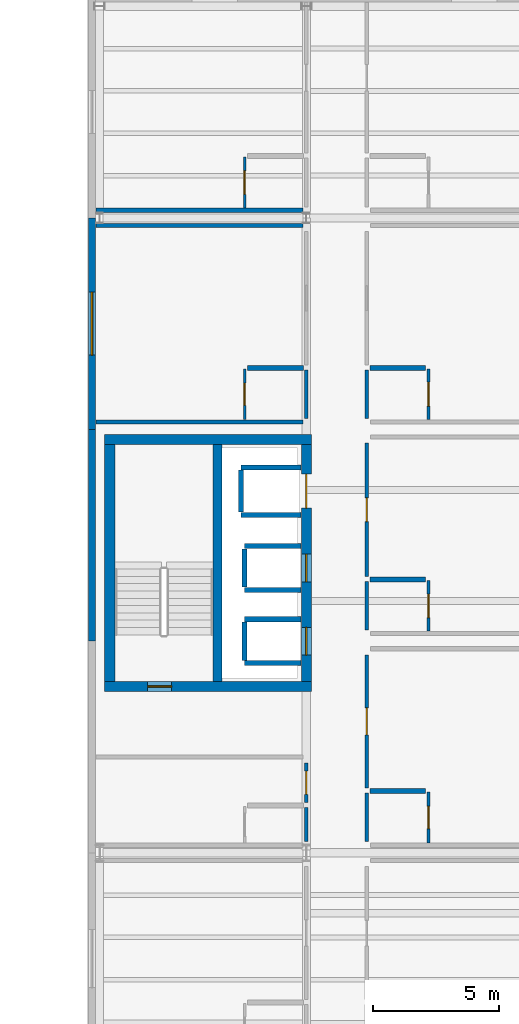
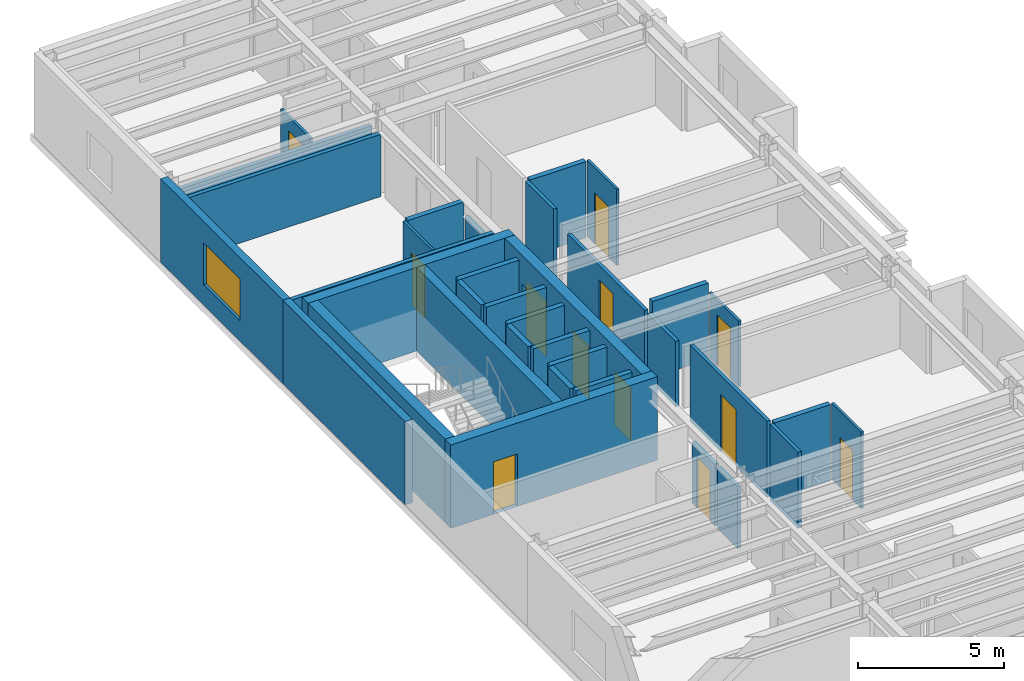
# One storey, part 16 of 23: 36 walls, 12 doors, 1 window, 13 openings.
"""IFC4 building model written with IfcOpenShell, lengths in metres."""

from ifc_helpers import new_model, si_unit, direction, frame, frame_2d, origin, place, context, subcontext, project, spatial, rectangle, extrude, material, layer, layer_set, type_object, element, fill, save


model = new_model("IFC4")

# Units and contexts
model_context = context("Model", 3, precision=1e-05, world=origin(), true_north=direction((0.0, 1.0)))
body_context = subcontext(model_context, "Body", "Model", "MODEL_VIEW")
ifc_project = project(units=[si_unit("LENGTHUNIT", "METRE"), si_unit("AREAUNIT", "SQUARE_METRE"), si_unit("VOLUMEUNIT", "CUBIC_METRE"), si_unit("PLANEANGLEUNIT", "RADIAN"), si_unit("MASSUNIT", "GRAM", prefix="KILO")], contexts=[model_context])

# Site, building, storey
site_placement = place(None, origin())
site = spatial("IfcSite", under=ifc_project, at=site_placement, CompositionType="ELEMENT")
building_placement = place(site_placement, origin())
building = spatial("IfcBuilding", under=site, at=building_placement, Name="Sollismere Congress Hotel", CompositionType="ELEMENT")
storey_placement = place(building_placement, frame((0.0, 0.0, 30.60009765625)))
storey = spatial("IfcBuildingStorey", under=building, at=storey_placement, Name="L07", CompositionType="ELEMENT", Elevation=30.60009765625)

# Wall
ifc_material_1 = material(Name="Colorado Buff Sandstone Rainscreen on Insulated Backup", Category="masonry")
ifc_layer_1 = layer(ifc_material_1, 0.284912109375, Name="Colorado Buff Sandstone Rainscreen on Insulated Backup")
ifc_layer_set_1 = layer_set([ifc_layer_1], Name="Colorado Buff Sandstone Rainscreen on Insulated Backup")
wall_type_1 = type_object("IfcWallType", Name="WL-EXT285", PredefinedType="STANDARD", material=ifc_layer_set_1)
wall_1_placement = place(storey_placement, frame((146.889892578125, 41.60009765625, 0.0), z_axis=(0.0, 0.0, 1.0), x_axis=(0.0, 1.0, 0.0)))
element("IfcWall", 1, at=wall_1_placement, inside=storey, type_object=wall_type_1, Name="Exterior wall EW-L07-805", PredefinedType="STANDARD", context=body_context, shape_type="SweptSolid", body=[
    extrude(rectangle(XDim=8.39990234375, YDim=0.284912109375, at=frame_2d((4.199951171875, 0.0))), origin(), (0.0, 0.0, 1.0), 3.5),
])

# Wall, opening, window
wall_2_placement = place(storey_placement, frame((146.889892578125, 50.0, 0.0), z_axis=(0.0, 0.0, 1.0), x_axis=(0.0, 1.0, 0.0)))
wall_2 = element("IfcWall", 2, at=wall_2_placement, inside=storey, type_object=wall_type_1, Name="Exterior wall EW-L07-806", PredefinedType="STANDARD", context=body_context, shape_type="SweptSolid", body=[
    extrude(rectangle(XDim=8.39990234375, YDim=0.284912109375, at=frame_2d((4.199951171875, 0.0))), origin(), (0.0, 0.0, 1.0), 3.5),
])
opening_1_placement = place(wall_2_placement, frame((2.949951171875, 0.0, 0.85009765625)))
opening_1 = element("IfcOpeningElement", 3, at=opening_1_placement, cuts=wall_2, Name="Opening W-L07-583", PredefinedType="OPENING", context=body_context, shape_type="SweptSolid", body=[
    extrude(rectangle(XDim=2.5, YDim=1.75, at=frame_2d((1.25, 0.875))), frame((0.0, 0.15234375, 0.0), z_axis=(0.0, -1.0, 0.0), x_axis=(1.0, 0.0, 0.0)), (0.0, 0.0, 1.0), 0.304931640625),
])
ifc_material_2 = material(Name="Thermally Broken Bronze Aluminum & Low-E Glass", Category="aluminium")
window_type = type_object("IfcWindowType", Name="WN-P250x175", PartitioningType="SINGLE_PANEL", PredefinedType="WINDOW", material=ifc_material_2)
window_placement = place(opening_1_placement, origin())
window = element("IfcWindow", 4, at=window_placement, inside=storey, type_object=window_type, Name="WIN-W-L07-583", OverallHeight=1.75, OverallWidth=2.5, PartitioningType="SINGLE_PANEL", PredefinedType="WINDOW", context=body_context, shape_type="SweptSolid", body=[
    extrude(rectangle(XDim=2.5, YDim=1.75, at=frame_2d((1.25, 0.875))), frame((0.0, 0.030029296875, 0.0), z_axis=(0.0, -1.0, 0.0), x_axis=(1.0, 0.0, 0.0)), (0.0, 0.0, 1.0), 0.06005859375),
])
fill(opening_1, window)

# Walls
ifc_material_3 = material(Name="Moisture-Resistant Shaft Gypsum Assembly")
ifc_layer_2 = layer(ifc_material_3, 0.199951171875, Name="Moisture-Resistant Shaft Gypsum Assembly")
ifc_layer_set_2 = layer_set([ifc_layer_2], Name="Moisture-Resistant Shaft Gypsum Assembly")
wall_type_2 = type_object("IfcWallType", Name="WL-PLM200", PredefinedType="PLUMBINGWALL", material=ifc_layer_set_2)
for number, where, z_axis, x_axis, name in (
    (5, (152.955078125, 40.72998046875, 0.0), (0.0, 0.0, 1.0), (1.0, 0.0, 0.0), "Interior wall IW-L07-0495"),
    (6, (152.955078125, 42.469970703125, 0.0), (0.0, 0.0, 1.0), (1.0, 0.0, 0.0), "Interior wall IW-L07-0496"),
):
    element("IfcWall", number, at=place(storey_placement, frame(where, z_axis=z_axis, x_axis=x_axis)), inside=storey, type_object=wall_type_2, Name=name, PredefinedType="PLUMBINGWALL", context=body_context, shape_type="SweptSolid", body=[
        extrude(rectangle(XDim=2.23291015625, YDim=0.199951171875, at=frame_2d((1.116455078125, 0.0))), origin(), (0.0, 0.0, 1.0), 3.199951171875),
    ])
wall_3_placement = place(storey_placement, frame((152.955078125, 40.842041015625, 0.0), z_axis=(0.0, 0.0, 1.0), x_axis=(0.0, 1.0, 0.0)))
element("IfcWall", 7, at=wall_3_placement, inside=storey, type_object=wall_type_2, Name="Interior wall IW-L07-0497", PredefinedType="PLUMBINGWALL", context=body_context, shape_type="SweptSolid", body=[
    extrude(rectangle(XDim=1.515869140625, YDim=0.199951171875, at=frame_2d((0.7578125, 0.0))), origin(), (0.0, 0.0, 1.0), 3.199951171875),
])
for number, where, z_axis, x_axis, name in (
    (8, (152.955078125, 43.6298828125, 0.0), (0.0, 0.0, 1.0), (1.0, 0.0, 0.0), "Interior wall IW-L07-0498"),
    (9, (152.955078125, 45.3701171875, 0.0), (0.0, 0.0, 1.0), (1.0, 0.0, 0.0), "Interior wall IW-L07-0499"),
):
    element("IfcWall", number, at=place(storey_placement, frame(where, z_axis=z_axis, x_axis=x_axis)), inside=storey, type_object=wall_type_2, Name=name, PredefinedType="PLUMBINGWALL", context=body_context, shape_type="SweptSolid", body=[
        extrude(rectangle(XDim=2.23291015625, YDim=0.199951171875, at=frame_2d((1.116455078125, 0.0))), origin(), (0.0, 0.0, 1.0), 3.199951171875),
    ])
wall_4_placement = place(storey_placement, frame((152.955078125, 43.741943359375, 0.0), z_axis=(0.0, 0.0, 1.0), x_axis=(0.0, 1.0, 0.0)))
element("IfcWall", 10, at=wall_4_placement, inside=storey, type_object=wall_type_2, Name="Interior wall IW-L07-0500", PredefinedType="PLUMBINGWALL", context=body_context, shape_type="SweptSolid", body=[
    extrude(rectangle(XDim=1.51611328125, YDim=0.199951171875, at=frame_2d((0.758056640625, 0.0))), origin(), (0.0, 0.0, 1.0), 3.199951171875),
])
for number, where, z_axis, x_axis, name in (
    (11, (152.800048828125, 46.60498046875, 0.0), (0.0, 0.0, 1.0), (1.0, 0.0, 0.0), "Interior wall IW-L07-0501"),
    (12, (152.800048828125, 48.4951171875, 0.0), (0.0, 0.0, 1.0), (1.0, 0.0, 0.0), "Interior wall IW-L07-0502"),
):
    element("IfcWall", number, at=place(storey_placement, frame(where, z_axis=z_axis, x_axis=x_axis)), inside=storey, type_object=wall_type_2, Name=name, PredefinedType="PLUMBINGWALL", context=body_context, shape_type="SweptSolid", body=[
        extrude(rectangle(XDim=2.387939453125, YDim=0.199951171875, at=frame_2d((1.19384765625, 0.0))), origin(), (0.0, 0.0, 1.0), 3.199951171875),
    ])
wall_5_placement = place(storey_placement, frame((152.800048828125, 46.717041015625, 0.0), z_axis=(0.0, 0.0, 1.0), x_axis=(0.0, 1.0, 0.0)))
element("IfcWall", 13, at=wall_5_placement, inside=storey, type_object=wall_type_2, Name="Interior wall IW-L07-0503", PredefinedType="PLUMBINGWALL", context=body_context, shape_type="SweptSolid", body=[
    extrude(rectangle(XDim=1.666015625, YDim=0.199951171875, at=frame_2d((0.8330078125, 0.0))), origin(), (0.0, 0.0, 1.0), 3.199951171875),
])
for number, where, z_axis, x_axis, name in (
    (14, (157.919921875, 35.64990234375, 0.0), (0.0, 0.0, 1.0), (1.0, 0.0, 0.0), "Interior wall IW-L07-2343"),
    (15, (157.919921875, 44.050048828125, 0.0), (0.0, 0.0, 1.0), (1.0, 0.0, 0.0), "Interior wall IW-L07-2355"),
    (16, (157.919921875, 52.449951171875, 0.0), (0.0, 0.0, 1.0), (1.0, 0.0, 0.0), "Interior wall IW-L07-2361"),
    (17, (153.070068359375, 52.449951171875, 0.0), (0.0, 0.0, 1.0), (1.0, 0.0, 0.0), "Interior wall IW-L07-2367"),
):
    element("IfcWall", number, at=place(storey_placement, frame(where, z_axis=z_axis, x_axis=x_axis)), inside=storey, type_object=wall_type_2, Name=name, PredefinedType="PLUMBINGWALL", context=body_context, shape_type="SweptSolid", body=[
        extrude(rectangle(XDim=2.2099609375, YDim=0.199951171875, at=frame_2d((1.10498046875, 0.0))), origin(), (0.0, 0.0, 1.0), 3.199951171875),
    ])

# Wall, opening, door
ifc_material_4 = material(Name="Moisture-Resistant Gypsum Partition")
ifc_layer_3 = layer(ifc_material_4, 0.10009765625, Name="Moisture-Resistant Gypsum Partition")
ifc_layer_set_3 = layer_set([ifc_layer_3], Name="Moisture-Resistant Gypsum Partition")
wall_type_3 = type_object("IfcWallType", Name="WL-PRT100", PredefinedType="PARTITIONING", material=ifc_layer_set_3)
wall_6_placement = place(storey_placement, frame((160.25, 33.594482421875, 0.0), z_axis=(0.0, 0.0, 1.0), x_axis=(0.0, 1.0, 0.0)))
wall_6 = element("IfcWall", 18, at=wall_6_placement, inside=storey, type_object=wall_type_3, Name="Interior wall IW-L07-2344", PredefinedType="PARTITIONING", context=body_context, shape_type="SweptSolid", body=[
    extrude(rectangle(XDim=2.015625, YDim=0.10009765625, at=frame_2d((1.0078125, 0.0))), origin(), (0.0, 0.0, 1.0), 3.199951171875),
])
opening_2_placement = place(wall_6_placement, frame((0.568115234375, 0.0, 0.0)))
opening_2 = element("IfcOpeningElement", 19, at=opening_2_placement, cuts=wall_6, Name="Opening D-L07-0827", PredefinedType="OPENING", context=body_context, shape_type="SweptSolid", body=[
    extrude(rectangle(XDim=0.8798828125, YDim=2.10009765625, at=frame_2d((0.43994140625, 1.050048828125))), frame((0.0, 0.06005859375, 0.0), z_axis=(0.0, -1.0, 0.0), x_axis=(1.0, 0.0, 0.0)), (0.0, 0.0, 1.0), 0.1201171875),
])
ifc_material_5 = material(Name="Moisture-Sealed Timber Bathroom Door", Category="wood")
door_type_1 = type_object("IfcDoorType", Name="DR-BT01", OperationType="NOTDEFINED", PredefinedType="DOOR", material=ifc_material_5)
door_1_placement = place(opening_2_placement, origin())
door_1 = element("IfcDoor", 20, at=door_1_placement, inside=storey, type_object=door_type_1, Name="En-suite bathroom door D-L07-0827", OperationType="SINGLE_SWING_RIGHT", OverallHeight=2.10009765625, OverallWidth=0.8798828125, PredefinedType="DOOR", context=body_context, shape_type="SweptSolid", body=[
    extrude(rectangle(XDim=0.8798828125, YDim=2.10009765625, at=frame_2d((0.43994140625, 1.050048828125))), frame((0.0, 0.02490234375, 0.0), z_axis=(0.0, -1.0, 0.0), x_axis=(1.0, 0.0, 0.0)), (0.0, 0.0, 1.0), 0.050048828125),
])
fill(opening_2, door_1)

wall_7_placement = place(storey_placement, frame((160.25, 41.994384765625, 0.0), z_axis=(0.0, 0.0, 1.0), x_axis=(0.0, 1.0, 0.0)))
wall_7 = element("IfcWall", 21, at=wall_7_placement, inside=storey, type_object=wall_type_3, Name="Interior wall IW-L07-2356", PredefinedType="PARTITIONING", context=body_context, shape_type="SweptSolid", body=[
    extrude(rectangle(XDim=2.015625, YDim=0.10009765625, at=frame_2d((1.0078125, 0.0))), origin(), (0.0, 0.0, 1.0), 2.7529296875),
])
opening_3_placement = place(wall_7_placement, frame((0.54296875, 0.0, 0.0)))
opening_3 = element("IfcOpeningElement", 22, at=opening_3_placement, cuts=wall_7, Name="Opening D-L07-0831", PredefinedType="OPENING", context=body_context, shape_type="SweptSolid", body=[
    extrude(rectangle(XDim=0.929931640625, YDim=2.139892578125, at=frame_2d((0.46484375, 1.06982421875))), frame((0.0, 0.06005859375, 0.0), z_axis=(0.0, -1.0, 0.0), x_axis=(1.0, 0.0, 0.0)), (0.0, 0.0, 1.0), 0.1201171875),
])
door_type_2 = type_object("IfcDoorType", Name="DR-BT03", OperationType="NOTDEFINED", PredefinedType="DOOR", material=ifc_material_5)
door_2_placement = place(opening_3_placement, origin())
door_2 = element("IfcDoor", 23, at=door_2_placement, inside=storey, type_object=door_type_2, Name="En-suite bathroom door D-L07-0831", OperationType="SINGLE_SWING_RIGHT", OverallHeight=2.139892578125, OverallWidth=0.929931640625, PredefinedType="DOOR", context=body_context, shape_type="SweptSolid", body=[
    extrude(rectangle(XDim=0.929931640625, YDim=2.139892578125, at=frame_2d((0.46484375, 1.06982421875))), frame((0.0, 0.02490234375, 0.0), z_axis=(0.0, -1.0, 0.0), x_axis=(1.0, 0.0, 0.0)), (0.0, 0.0, 1.0), 0.050048828125),
])
fill(opening_3, door_2)

wall_8_placement = place(storey_placement, frame((160.25, 50.39453125, 0.0), z_axis=(0.0, 0.0, 1.0), x_axis=(0.0, 1.0, 0.0)))
wall_8 = element("IfcWall", 24, at=wall_8_placement, inside=storey, type_object=wall_type_3, Name="Interior wall IW-L07-2362", PredefinedType="PARTITIONING", context=body_context, shape_type="SweptSolid", body=[
    extrude(rectangle(XDim=2.015380859375, YDim=0.10009765625, at=frame_2d((1.0078125, 0.0))), origin(), (0.0, 0.0, 1.0), 3.199951171875),
])
opening_4_placement = place(wall_8_placement, frame((0.530029296875, 0.0, 0.0)))
opening_4 = element("IfcOpeningElement", 25, at=opening_4_placement, cuts=wall_8, Name="Opening D-L07-0833", PredefinedType="OPENING", context=body_context, shape_type="SweptSolid", body=[
    extrude(rectangle(XDim=0.955078125, YDim=2.139892578125, at=frame_2d((0.4775390625, 1.06982421875))), frame((0.0, 0.06005859375, 0.0), z_axis=(0.0, -1.0, 0.0), x_axis=(1.0, 0.0, 0.0)), (0.0, 0.0, 1.0), 0.1201171875),
])
door_type_3 = type_object("IfcDoorType", Name="DR-BT04", OperationType="NOTDEFINED", PredefinedType="DOOR", material=ifc_material_5)
door_3_placement = place(opening_4_placement, origin())
door_3 = element("IfcDoor", 26, at=door_3_placement, inside=storey, type_object=door_type_3, Name="En-suite bathroom door D-L07-0833", OperationType="SINGLE_SWING_RIGHT", OverallHeight=2.139892578125, OverallWidth=0.955078125, PredefinedType="DOOR", context=body_context, shape_type="SweptSolid", body=[
    extrude(rectangle(XDim=0.955078125, YDim=2.139892578125, at=frame_2d((0.4775390625, 1.06982421875))), frame((0.0, 0.02490234375, 0.0), z_axis=(0.0, -1.0, 0.0), x_axis=(1.0, 0.0, 0.0)), (0.0, 0.0, 1.0), 0.050048828125),
])
fill(opening_4, door_3)

wall_9_placement = place(storey_placement, frame((152.949951171875, 50.39453125, 0.0), z_axis=(0.0, 0.0, 1.0), x_axis=(0.0, 1.0, 0.0)))
wall_9 = element("IfcWall", 27, at=wall_9_placement, inside=storey, type_object=wall_type_3, Name="Interior wall IW-L07-2368", PredefinedType="PARTITIONING", context=body_context, shape_type="SweptSolid", body=[
    extrude(rectangle(XDim=2.015380859375, YDim=0.10009765625, at=frame_2d((1.0078125, 0.0))), origin(), (0.0, 0.0, 1.0), 3.199951171875),
])
opening_5_placement = place(wall_9_placement, frame((0.568115234375, 0.0, 0.0)))
opening_5 = element("IfcOpeningElement", 28, at=opening_5_placement, cuts=wall_9, Name="Opening D-L07-0835", PredefinedType="OPENING", context=body_context, shape_type="SweptSolid", body=[
    extrude(rectangle(XDim=0.8798828125, YDim=2.179931640625, at=frame_2d((0.43994140625, 1.08984375))), frame((0.0, 0.06005859375, 0.0), z_axis=(0.0, -1.0, 0.0), x_axis=(1.0, 0.0, 0.0)), (0.0, 0.0, 1.0), 0.1201171875),
])
door_type_4 = type_object("IfcDoorType", Name="DR-BT05", OperationType="NOTDEFINED", PredefinedType="DOOR", material=ifc_material_5)
door_4_placement = place(opening_5_placement, origin())
door_4 = element("IfcDoor", 29, at=door_4_placement, inside=storey, type_object=door_type_4, Name="En-suite bathroom door D-L07-0835", OperationType="SINGLE_SWING_RIGHT", OverallHeight=2.179931640625, OverallWidth=0.8798828125, PredefinedType="DOOR", context=body_context, shape_type="SweptSolid", body=[
    extrude(rectangle(XDim=0.8798828125, YDim=2.179931640625, at=frame_2d((0.43994140625, 1.08984375))), frame((0.0, 0.02490234375, 0.0), z_axis=(0.0, -1.0, 0.0), x_axis=(1.0, 0.0, 0.0)), (0.0, 0.0, 1.0), 0.050048828125),
])
fill(opening_5, door_4)

wall_10_placement = place(storey_placement, frame((152.949951171875, 58.79443359375, 0.0), z_axis=(0.0, 0.0, 1.0), x_axis=(0.0, 1.0, 0.0)))
wall_10 = element("IfcWall", 30, at=wall_10_placement, inside=storey, type_object=wall_type_3, Name="Interior wall IW-L07-2378", PredefinedType="PARTITIONING", context=body_context, shape_type="SweptSolid", body=[
    extrude(rectangle(XDim=2.015625, YDim=0.10009765625, at=frame_2d((1.0078125, 0.0))), origin(), (0.0, 0.0, 1.0), 2.807861328125),
])
opening_6_placement = place(wall_10_placement, frame((0.54296875, 0.0, 0.0)))
opening_6 = element("IfcOpeningElement", 31, at=opening_6_placement, cuts=wall_10, Name="Opening D-L07-0839", PredefinedType="OPENING", context=body_context, shape_type="SweptSolid", body=[
    extrude(rectangle(XDim=0.929931640625, YDim=2.219970703125, at=frame_2d((0.46484375, 1.10986328125))), frame((0.0, 0.06005859375, 0.0), z_axis=(0.0, -1.0, 0.0), x_axis=(1.0, 0.0, 0.0)), (0.0, 0.0, 1.0), 0.1201171875),
])
door_type_5 = type_object("IfcDoorType", Name="DR-BT07", OperationType="NOTDEFINED", PredefinedType="DOOR", material=ifc_material_5)
door_5_placement = place(opening_6_placement, origin())
door_5 = element("IfcDoor", 32, at=door_5_placement, inside=storey, type_object=door_type_5, Name="En-suite bathroom door D-L07-0839", OperationType="SINGLE_SWING_RIGHT", OverallHeight=2.219970703125, OverallWidth=0.929931640625, PredefinedType="DOOR", context=body_context, shape_type="SweptSolid", body=[
    extrude(rectangle(XDim=0.929931640625, YDim=2.219970703125, at=frame_2d((0.46484375, 1.10986328125))), frame((0.0, 0.02490234375, 0.0), z_axis=(0.0, -1.0, 0.0), x_axis=(1.0, 0.0, 0.0)), (0.0, 0.0, 1.0), 0.050048828125),
])
fill(opening_6, door_5)

# Wall
ifc_material_6 = material(Name="Fire-Rated Gypsum Partition")
ifc_layer_4 = layer(ifc_material_6, 0.139892578125, Name="Fire-Rated Gypsum Partition")
ifc_layer_set_4 = layer_set([ifc_layer_4], Name="Fire-Rated Gypsum Partition")
wall_type_4 = type_object("IfcWallType", Name="WL-PRT140R", PredefinedType="PARTITIONING", material=ifc_layer_set_4)
wall_11_placement = place(storey_placement, frame((157.800048828125, 33.639892578125, 0.0), z_axis=(0.0, 0.0, 1.0), x_axis=(0.0, 1.0, 0.0)))
element("IfcWall", 33, at=wall_11_placement, inside=storey, type_object=wall_type_4, Name="Interior wall IW-L07-2339", PredefinedType="PARTITIONING", context=body_context, shape_type="SweptSolid", body=[
    extrude(rectangle(XDim=1.93017578125, YDim=0.139892578125, at=frame_2d((0.965087890625, 0.0))), origin(), (0.0, 0.0, 1.0), 3.199951171875),
])

# Wall, opening, door
wall_12_placement = place(storey_placement, frame((157.800048828125, 35.77001953125, 0.0), z_axis=(0.0, 0.0, 1.0), x_axis=(0.0, 1.0, 0.0)))
wall_12 = element("IfcWall", 34, at=wall_12_placement, inside=storey, type_object=wall_type_4, Name="Interior wall IW-L07-2340", PredefinedType="PARTITIONING", context=body_context, shape_type="SweptSolid", body=[
    extrude(rectangle(XDim=5.2900390625, YDim=0.139892578125, at=frame_2d((2.64501953125, 0.0))), origin(), (0.0, 0.0, 1.0), 3.199951171875),
])
opening_7_placement = place(wall_12_placement, frame((2.110107421875, 0.0, 0.0)))
opening_7 = element("IfcOpeningElement", 35, at=opening_7_placement, cuts=wall_12, Name="Opening D-L07-0826", PredefinedType="OPENING", context=body_context, shape_type="SweptSolid", body=[
    extrude(rectangle(XDim=1.070068359375, YDim=2.39990234375, at=frame_2d((0.53515625, 1.199951171875))), frame((0.0, 0.079833984375, 0.0), z_axis=(0.0, -1.0, 0.0), x_axis=(1.0, 0.0, 0.0)), (0.0, 0.0, 1.0), 0.159912109375),
])
ifc_material_7 = material(Name="Solid-Core Acoustic Walnut Guestroom Entry Door")
door_type_6 = type_object("IfcDoorType", Name="DR-KY12", OperationType="NOTDEFINED", PredefinedType="DOOR", material=ifc_material_7)
door_6_placement = place(opening_7_placement, origin())
door_6 = element("IfcDoor", 36, at=door_6_placement, inside=storey, type_object=door_type_6, Name="Hotel room entry door D-L07-0826", OperationType="SINGLE_SWING_LEFT", OverallHeight=2.39990234375, OverallWidth=1.070068359375, PredefinedType="DOOR", context=body_context, shape_type="SweptSolid", body=[
    extrude(rectangle(XDim=1.070068359375, YDim=2.39990234375, at=frame_2d((0.53515625, 1.199951171875))), frame((0.0, 0.02490234375, 0.0), z_axis=(0.0, -1.0, 0.0), x_axis=(1.0, 0.0, 0.0)), (0.0, 0.0, 1.0), 0.050048828125),
])
fill(opening_7, door_6)

# Wall
wall_13_placement = place(storey_placement, frame((155.39990234375, 33.639892578125, 0.0), z_axis=(0.0, 0.0, 1.0), x_axis=(0.0, 1.0, 0.0)))
element("IfcWall", 37, at=wall_13_placement, inside=storey, type_object=wall_type_4, Name="Interior wall IW-L07-2345", PredefinedType="PARTITIONING", context=body_context, shape_type="SweptSolid", body=[
    extrude(rectangle(XDim=1.355224609375, YDim=0.139892578125, at=frame_2d((0.677734375, 0.0))), origin(), (0.0, 0.0, 1.0), 2.58984375),
])

# Wall, opening, door
wall_14_placement = place(storey_placement, frame((155.39990234375, 35.195068359375, 0.0), z_axis=(0.0, 0.0, 1.0), x_axis=(0.0, 1.0, 0.0)))
wall_14 = element("IfcWall", 38, at=wall_14_placement, inside=storey, type_object=wall_type_4, Name="Interior wall IW-L07-2346", PredefinedType="PARTITIONING", context=body_context, shape_type="SweptSolid", body=[
    extrude(rectangle(XDim=1.56494140625, YDim=0.139892578125, at=frame_2d((0.782470703125, 0.0))), origin(), (0.0, 0.0, 1.0), 2.58984375),
])
opening_8_placement = place(wall_14_placement, frame((0.322021484375, 0.0, 0.0)))
opening_8 = element("IfcOpeningElement", 39, at=opening_8_placement, cuts=wall_14, Name="Opening D-L07-0828", PredefinedType="OPENING", context=body_context, shape_type="SweptSolid", body=[
    extrude(rectangle(XDim=0.919921875, YDim=2.14990234375, at=frame_2d((0.4599609375, 1.074951171875))), frame((0.0, 0.079833984375, 0.0), z_axis=(0.0, -1.0, 0.0), x_axis=(1.0, 0.0, 0.0)), (0.0, 0.0, 1.0), 0.159912109375),
])
door_type_7 = type_object("IfcDoorType", Name="DR-KY01", OperationType="NOTDEFINED", PredefinedType="DOOR", material=ifc_material_7)
door_7_placement = place(opening_8_placement, origin())
door_7 = element("IfcDoor", 40, at=door_7_placement, inside=storey, type_object=door_type_7, Name="Hotel room entry door D-L07-0828", OperationType="SINGLE_SWING_LEFT", OverallHeight=2.14990234375, OverallWidth=0.919921875, PredefinedType="DOOR", context=body_context, shape_type="SweptSolid", body=[
    extrude(rectangle(XDim=0.919921875, YDim=2.14990234375, at=frame_2d((0.4599609375, 1.074951171875))), frame((0.0, 0.02490234375, 0.0), z_axis=(0.0, -1.0, 0.0), x_axis=(1.0, 0.0, 0.0)), (0.0, 0.0, 1.0), 0.050048828125),
])
fill(opening_8, door_7)

# Wall
wall_15_placement = place(storey_placement, frame((157.800048828125, 42.0400390625, 0.0), z_axis=(0.0, 0.0, 1.0), x_axis=(0.0, 1.0, 0.0)))
element("IfcWall", 41, at=wall_15_placement, inside=storey, type_object=wall_type_4, Name="Interior wall IW-L07-2351", PredefinedType="PARTITIONING", context=body_context, shape_type="SweptSolid", body=[
    extrude(rectangle(XDim=1.929931640625, YDim=0.139892578125, at=frame_2d((0.96484375, 0.0))), origin(), (0.0, 0.0, 1.0), 2.7529296875),
])

# Wall, opening, door
wall_16_placement = place(storey_placement, frame((157.800048828125, 44.169921875, 0.0), z_axis=(0.0, 0.0, 1.0), x_axis=(0.0, 1.0, 0.0)))
wall_16 = element("IfcWall", 42, at=wall_16_placement, inside=storey, type_object=wall_type_4, Name="Interior wall IW-L07-2352", PredefinedType="PARTITIONING", context=body_context, shape_type="SweptSolid", body=[
    extrude(rectangle(XDim=5.2900390625, YDim=0.139892578125, at=frame_2d((2.64501953125, 0.0))), origin(), (0.0, 0.0, 1.0), 2.7529296875),
])
opening_9_placement = place(wall_16_placement, frame((2.169921875, 0.0, 0.0)))
opening_9 = element("IfcOpeningElement", 43, at=opening_9_placement, cuts=wall_16, Name="Opening D-L07-0830", PredefinedType="OPENING", context=body_context, shape_type="SweptSolid", body=[
    extrude(rectangle(XDim=0.949951171875, YDim=2.14990234375, at=frame_2d((0.47509765625, 1.074951171875))), frame((0.0, 0.079833984375, 0.0), z_axis=(0.0, -1.0, 0.0), x_axis=(1.0, 0.0, 0.0)), (0.0, 0.0, 1.0), 0.159912109375),
])
door_type_8 = type_object("IfcDoorType", Name="DR-KY02", OperationType="NOTDEFINED", PredefinedType="DOOR", material=ifc_material_7)
door_8_placement = place(opening_9_placement, origin())
door_8 = element("IfcDoor", 44, at=door_8_placement, inside=storey, type_object=door_type_8, Name="Hotel room entry door D-L07-0830", OperationType="SINGLE_SWING_LEFT", OverallHeight=2.14990234375, OverallWidth=0.949951171875, PredefinedType="DOOR", context=body_context, shape_type="SweptSolid", body=[
    extrude(rectangle(XDim=0.949951171875, YDim=2.14990234375, at=frame_2d((0.47509765625, 1.074951171875))), frame((0.0, 0.02490234375, 0.0), z_axis=(0.0, -1.0, 0.0), x_axis=(1.0, 0.0, 0.0)), (0.0, 0.0, 1.0), 0.050048828125),
])
fill(opening_9, door_8)

# Walls
wall_17_placement = place(storey_placement, frame((157.800048828125, 50.43994140625, 0.0), z_axis=(0.0, 0.0, 1.0), x_axis=(0.0, 1.0, 0.0)))
element("IfcWall", 45, at=wall_17_placement, inside=storey, type_object=wall_type_4, Name="Interior wall IW-L07-2357", PredefinedType="PARTITIONING", context=body_context, shape_type="SweptSolid", body=[
    extrude(rectangle(XDim=1.93017578125, YDim=0.139892578125, at=frame_2d((0.965087890625, 0.0))), origin(), (0.0, 0.0, 1.0), 3.199951171875),
])
wall_18_placement = place(storey_placement, frame((155.39990234375, 50.43994140625, 0.0), z_axis=(0.0, 0.0, 1.0), x_axis=(0.0, 1.0, 0.0)))
element("IfcWall", 46, at=wall_18_placement, inside=storey, type_object=wall_type_4, Name="Interior wall IW-L07-2363", PredefinedType="PARTITIONING", context=body_context, shape_type="SweptSolid", body=[
    extrude(rectangle(XDim=1.93017578125, YDim=0.139892578125, at=frame_2d((0.965087890625, 0.0))), origin(), (0.0, 0.0, 1.0), 2.58984375),
])
ifc_material_8 = material(Name="Fire-Rated Acoustic Gypsum Partition")
ifc_layer_5 = layer(ifc_material_8, 0.1650390625, Name="Fire-Rated Acoustic Gypsum Partition")
ifc_layer_set_5 = layer_set([ifc_layer_5], Name="Fire-Rated Acoustic Gypsum Partition")
wall_type_5 = type_object("IfcWallType", Name="WL-PRT165R", PredefinedType="PARTITIONING", material=ifc_layer_set_5)
wall_19_placement = place(storey_placement, frame((147.047607421875, 50.300048828125, 0.0), z_axis=(0.0, 0.0, 1.0), x_axis=(1.0, 0.0, 0.0)))
element("IfcWall", 47, at=wall_19_placement, inside=storey, type_object=wall_type_5, Name="Interior wall IW-L07-2365", PredefinedType="PARTITIONING", context=body_context, shape_type="SweptSolid", body=[
    extrude(rectangle(XDim=8.21240234375, YDim=0.1650390625, at=frame_2d((4.106201171875, 0.0))), origin(), (0.0, 0.0, 1.0), 3.199951171875),
])
for number, where, z_axis, x_axis, name in (
    (48, (147.047607421875, 58.10009765625, 0.0), (0.0, 0.0, 1.0), (1.0, 0.0, 0.0), "Interior wall IW-L07-2366"),
    (49, (147.047607421875, 58.699951171875, 0.0), (0.0, 0.0, 1.0), (1.0, 0.0, 0.0), "Interior wall IW-L07-2376"),
):
    element("IfcWall", number, at=place(storey_placement, frame(where, z_axis=z_axis, x_axis=x_axis)), inside=storey, type_object=wall_type_5, Name=name, PredefinedType="PARTITIONING", context=body_context, shape_type="SweptSolid", body=[
        extrude(rectangle(XDim=8.21240234375, YDim=0.1650390625, at=frame_2d((4.106201171875, 0.0))), origin(), (0.0, 0.0, 1.0), 2.61279296875),
    ])
ifc_material_9 = material(Name="Concrete C50/60", Category="concrete")
ifc_layer_6 = layer(ifc_material_9, 0.35009765625, Name="Concrete C50/60")
ifc_layer_set_6 = layer_set([ifc_layer_6], Name="Concrete C50/60")
wall_type_6 = type_object("IfcWallType", Name="WL-SHR350", PredefinedType="SHEAR", material=ifc_layer_set_6)
wall_20_placement = place(storey_placement, frame((151.875, 40.0, 0.0), z_axis=(0.0, 0.0, 1.0), x_axis=(0.0, 1.0, 0.0)))
element("IfcWall", 50, at=wall_20_placement, inside=storey, type_object=wall_type_6, Name="Interior wall IW-L07-0494", PredefinedType="SHEAR", context=body_context, shape_type="SweptSolid", body=[
    extrude(rectangle(XDim=9.39990234375, YDim=0.35009765625, at=frame_2d((4.699951171875, 0.0))), origin(), (0.0, 0.0, 1.0), 3.5),
])

# Wall, opening, door
ifc_layer_7 = layer(ifc_material_9, 0.39990234375, Name="Concrete C50/60")
ifc_layer_set_7 = layer_set([ifc_layer_7], Name="Concrete C50/60")
wall_type_7 = type_object("IfcWallType", Name="WL-SHR400", PredefinedType="SHEAR", material=ifc_layer_set_7)
wall_21_placement = place(storey_placement, frame((147.39990234375, 39.800048828125, 0.0), z_axis=(0.0, 0.0, 1.0), x_axis=(1.0, 0.0, 0.0)))
wall_21 = element("IfcWall", 51, at=wall_21_placement, inside=storey, type_object=wall_type_7, Name="Interior wall IW-L07-0490", PredefinedType="SHEAR", context=body_context, shape_type="SweptSolid", body=[
    extrude(rectangle(XDim=8.2001953125, YDim=0.39990234375, at=frame_2d((4.10009765625, 0.0))), origin(), (0.0, 0.0, 1.0), 3.5),
])
opening_10_placement = place(wall_21_placement, frame((1.699951171875, 0.0, 0.0)))
opening_10 = element("IfcOpeningElement", 52, at=opening_10_placement, cuts=wall_21, Name="Opening D-ST-03-L07", PredefinedType="OPENING", context=body_context, shape_type="SweptSolid", body=[
    extrude(rectangle(XDim=0.949951171875, YDim=2.199951171875, at=frame_2d((0.47509765625, 1.10009765625))), frame((0.0, 0.2099609375, 0.0), z_axis=(0.0, -1.0, 0.0), x_axis=(1.0, 0.0, 0.0)), (0.0, 0.0, 1.0), 0.419921875),
])
ifc_material_10 = material(Name="Fire-Rated Insulated Steel Door", Category="steel")
door_type_9 = type_object("IfcDoorType", Name="DR-FD90", OperationType="NOTDEFINED", PredefinedType="DOOR", material=ifc_material_10)
door_9_placement = place(opening_10_placement, origin())
door_9 = element("IfcDoor", 53, at=door_9_placement, inside=storey, type_object=door_type_9, Name="Exit stair fire door D-ST-03-L07", OperationType="SINGLE_SWING_LEFT", OverallHeight=2.199951171875, OverallWidth=0.949951171875, PredefinedType="DOOR", context=body_context, shape_type="SweptSolid", body=[
    extrude(rectangle(XDim=0.949951171875, YDim=2.199951171875, at=frame_2d((0.47509765625, 1.10009765625))), frame((0.0, 0.02490234375, 0.0), z_axis=(0.0, -1.0, 0.0), x_axis=(1.0, 0.0, 0.0)), (0.0, 0.0, 1.0), 0.050048828125),
])
fill(opening_10, door_9)

# Walls
wall_22_placement = place(storey_placement, frame((155.60009765625, 49.60009765625, 0.0), z_axis=(0.0, 0.0, 1.0), x_axis=(-1.0, 0.0, 0.0)))
element("IfcWall", 54, at=wall_22_placement, inside=storey, type_object=wall_type_7, Name="Interior wall IW-L07-0491", PredefinedType="SHEAR", context=body_context, shape_type="SweptSolid", body=[
    extrude(rectangle(XDim=8.2001953125, YDim=0.39990234375, at=frame_2d((4.10009765625, 0.0))), origin(), (0.0, 0.0, 1.0), 3.5),
])
wall_23_placement = place(storey_placement, frame((147.60009765625, 49.39990234375, 0.0), z_axis=(0.0, 0.0, 1.0), x_axis=(0.0, -1.0, 0.0)))
element("IfcWall", 55, at=wall_23_placement, inside=storey, type_object=wall_type_7, Name="Interior wall IW-L07-0492", PredefinedType="SHEAR", context=body_context, shape_type="SweptSolid", body=[
    extrude(rectangle(XDim=9.39990234375, YDim=0.39990234375, at=frame_2d((4.699951171875, 0.0))), origin(), (0.0, 0.0, 1.0), 3.5),
])

# Wall, openings, doors
wall_24_placement = place(storey_placement, frame((155.39990234375, 40.0, 0.0), z_axis=(0.0, 0.0, 1.0), x_axis=(0.0, 1.0, 0.0)))
wall_24 = element("IfcWall", 56, at=wall_24_placement, inside=storey, type_object=wall_type_7, Name="Interior wall IW-L07-0493", PredefinedType="SHEAR", context=body_context, shape_type="SweptSolid", body=[
    extrude(rectangle(XDim=9.39990234375, YDim=0.39990234375, at=frame_2d((4.699951171875, 0.0))), origin(), (0.0, 0.0, 1.0), 3.5),
])
opening_11_placement = place(wall_24_placement, frame((1.050048828125, 0.0, 0.0)))
opening_11 = element("IfcOpeningElement", 57, at=opening_11_placement, cuts=wall_24, Name="Opening LD-LP-05-L07", PredefinedType="OPENING", context=body_context, shape_type="SweptSolid", body=[
    extrude(rectangle(XDim=1.10009765625, YDim=2.199951171875, at=frame_2d((0.550048828125, 1.10009765625))), frame((0.0, 0.2099609375, 0.0), z_axis=(0.0, -1.0, 0.0), x_axis=(1.0, 0.0, 0.0)), (0.0, 0.0, 1.0), 0.419921875),
])
opening_12_placement = place(wall_24_placement, frame((3.949951171875, 0.0, 0.0)))
opening_12 = element("IfcOpeningElement", 58, at=opening_12_placement, cuts=wall_24, Name="Opening LD-LP-06-L07", PredefinedType="OPENING", context=body_context, shape_type="SweptSolid", body=[
    extrude(rectangle(XDim=1.10009765625, YDim=2.199951171875, at=frame_2d((0.550048828125, 1.10009765625))), frame((0.0, 0.2099609375, 0.0), z_axis=(0.0, -1.0, 0.0), x_axis=(1.0, 0.0, 0.0)), (0.0, 0.0, 1.0), 0.419921875),
])
opening_13_placement = place(wall_24_placement, frame((6.875, 0.0, 0.0)))
opening_13 = element("IfcOpeningElement", 59, at=opening_13_placement, cuts=wall_24, Name="Opening LD-LS-02-L07", PredefinedType="OPENING", context=body_context, shape_type="SweptSolid", body=[
    extrude(rectangle(XDim=1.35009765625, YDim=2.300048828125, at=frame_2d((0.675048828125, 1.14990234375))), frame((0.0, 0.2099609375, 0.0), z_axis=(0.0, -1.0, 0.0), x_axis=(1.0, 0.0, 0.0)), (0.0, 0.0, 1.0), 0.419921875),
])
ifc_material_11 = material(Name="Brushed Bronze Sliding Elevator Landing Door")
door_type_10 = type_object("IfcDoorType", Name="DR-LD110", OperationType="NOTDEFINED", PredefinedType="DOOR", material=ifc_material_11)
door_10_placement = place(opening_11_placement, origin())
door_10 = element("IfcDoor", 60, at=door_10_placement, inside=storey, type_object=door_type_10, Name="Elevator landing door LD-LP-05-L07", OperationType="SLIDING_TO_LEFT", OverallHeight=2.199951171875, OverallWidth=1.10009765625, PredefinedType="DOOR", context=body_context, shape_type="SweptSolid", body=[
    extrude(rectangle(XDim=1.10009765625, YDim=2.199951171875, at=frame_2d((0.550048828125, 1.10009765625))), frame((0.0, 0.02490234375, 0.0), z_axis=(0.0, -1.0, 0.0), x_axis=(1.0, 0.0, 0.0)), (0.0, 0.0, 1.0), 0.050048828125),
])
fill(opening_11, door_10)
door_11_placement = place(opening_12_placement, origin())
door_11 = element("IfcDoor", 61, at=door_11_placement, inside=storey, type_object=door_type_10, Name="Elevator landing door LD-LP-06-L07", OperationType="SLIDING_TO_RIGHT", OverallHeight=2.199951171875, OverallWidth=1.10009765625, PredefinedType="DOOR", context=body_context, shape_type="SweptSolid", body=[
    extrude(rectangle(XDim=1.10009765625, YDim=2.199951171875, at=frame_2d((0.550048828125, 1.10009765625))), frame((0.0, 0.02490234375, 0.0), z_axis=(0.0, -1.0, 0.0), x_axis=(1.0, 0.0, 0.0)), (0.0, 0.0, 1.0), 0.050048828125),
])
fill(opening_12, door_11)
ifc_material_12 = material(Name="Heavy-Duty Stainless Sliding Service Landing Door")
door_type_11 = type_object("IfcDoorType", Name="DR-LD135", OperationType="NOTDEFINED", PredefinedType="DOOR", material=ifc_material_12)
door_12_placement = place(opening_13_placement, origin())
door_12 = element("IfcDoor", 62, at=door_12_placement, inside=storey, type_object=door_type_11, Name="Elevator landing door LD-LS-02-L07", OperationType="SLIDING_TO_LEFT", OverallHeight=2.300048828125, OverallWidth=1.35009765625, PredefinedType="DOOR", context=body_context, shape_type="SweptSolid", body=[
    extrude(rectangle(XDim=1.35009765625, YDim=2.300048828125, at=frame_2d((0.675048828125, 1.14990234375))), frame((0.0, 0.02490234375, 0.0), z_axis=(0.0, -1.0, 0.0), x_axis=(1.0, 0.0, 0.0)), (0.0, 0.0, 1.0), 0.050048828125),
])
fill(opening_13, door_12)

save(model, "model.ifc")
